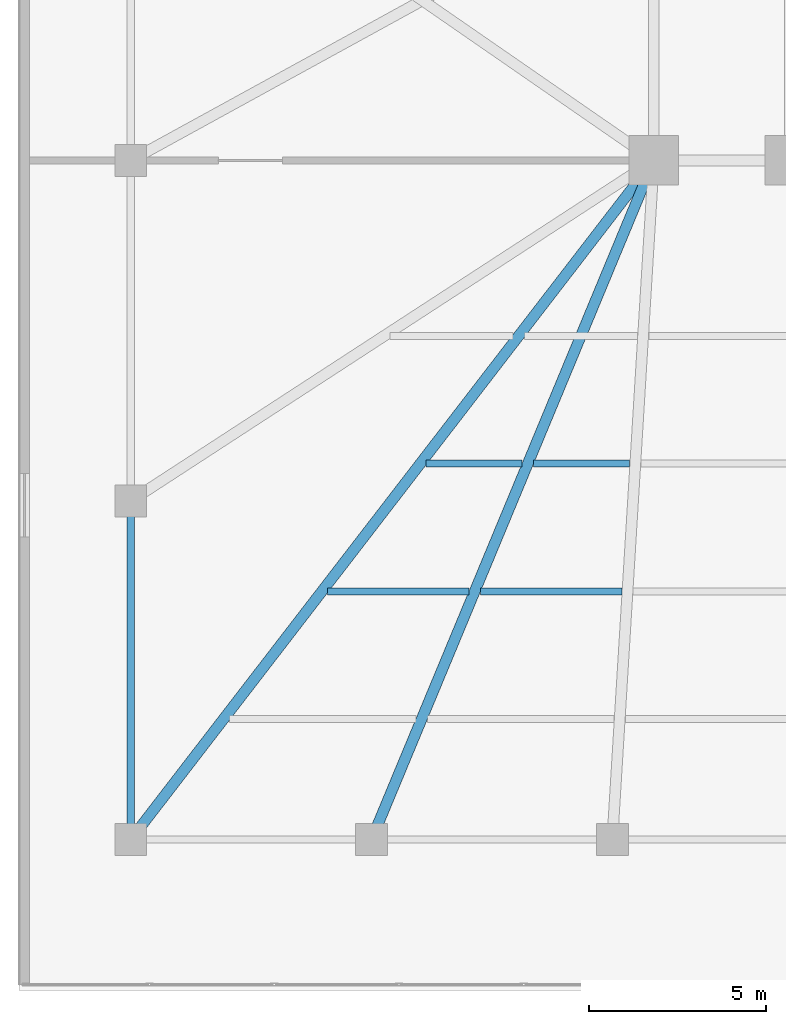
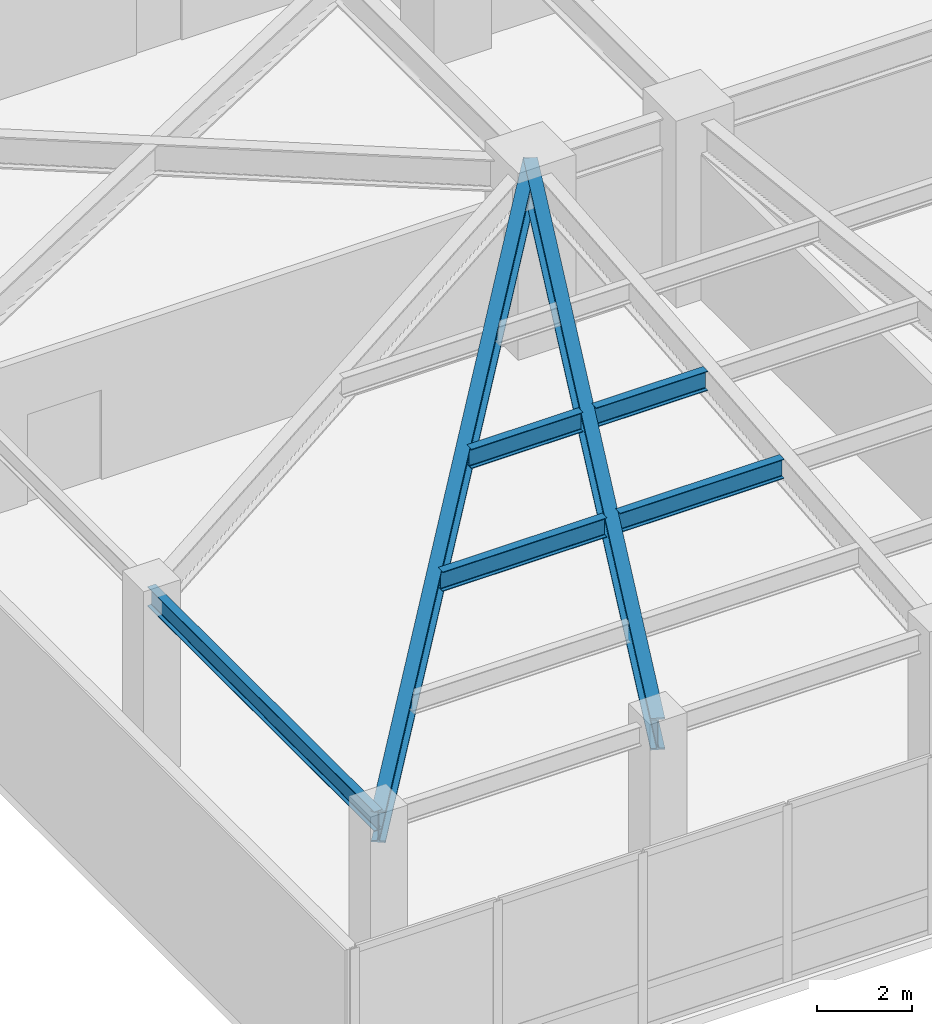
# One storey, part 3 of 19: 7 beams.
"""IFC4 building model written with IfcOpenShell, lengths in metres."""

from ifc_helpers import new_model, si_unit, direction, frame, origin, origin_2d, place, context, subcontext, project, spatial, i_section, extrude, material, material_profile, profile_set, type_object, element, save


model = new_model("IFC4")

# Units and contexts
model_context = context("Model", 3, precision=1e-05, world=origin(), true_north=direction((0.0, 1.0)))
body_context = subcontext(model_context, "Body", "Model", "MODEL_VIEW")
ifc_project = project(units=[si_unit("LENGTHUNIT", "METRE"), si_unit("AREAUNIT", "SQUARE_METRE"), si_unit("VOLUMEUNIT", "CUBIC_METRE"), si_unit("PLANEANGLEUNIT", "RADIAN"), si_unit("MASSUNIT", "GRAM", prefix="KILO")], contexts=[model_context])

# Site, building, storey
site_placement = place(None, origin())
site = spatial("IfcSite", under=ifc_project, at=site_placement, CompositionType="ELEMENT")
building_placement = place(site_placement, origin())
building = spatial("IfcBuilding", under=site, at=building_placement, Name="Yelkora Congress Tower", CompositionType="ELEMENT")
storey_placement = place(building_placement, frame((0.0, 0.0, 15.60009765625)))
storey = spatial("IfcBuildingStorey", under=building, at=storey_placement, Name="L03", CompositionType="ELEMENT", Elevation=15.60009765625)

# Beams
ifc_material_1 = material(Name="Steel S460M", Category="steel")
ifc_material_profile_1 = material_profile(ifc_material_1, i_section(OverallWidth=0.302978515625, OverallDepth=0.81396484375, WebThickness=0.02099609375, FlangeThickness=0.0400390625, FilletRadius=0.030029296875, at=origin_2d()), Name="HEM 800")
ifc_profile_set_1 = profile_set([ifc_material_profile_1], Name="Steel S460M")
beam_type_1 = type_object("IfcBeamType", Name="BM-HALL-HEM800", PredefinedType="BEAM", material=ifc_profile_set_1)
beam_1_placement = place(storey_placement, frame((4.449951171875, 6.050048828125, 4.1328125), z_axis=(0.610212418574, 0.792237845737, 0.0), x_axis=(-0.792237845737, 0.610212418574, 0.0)))
element("IfcBeam", 1, at=beam_1_placement, inside=storey, type_object=beam_type_1, Name="L03 Primary Frame Girder PS01", PredefinedType="BEAM", context=body_context, shape_type="SweptSolid", body=[
    extrude(i_section(OverallWidth=0.302978515625, OverallDepth=0.81396484375, WebThickness=0.02099609375, FlangeThickness=0.0400390625, FilletRadius=0.030029296875, at=origin_2d()), origin(), (0.0, 0.0, 1.0), 24.171875),
])
beam_2_placement = place(storey_placement, frame((11.239990234375, 6.050048828125, 4.1328125), z_axis=(0.383827816401, 0.923404682334, 0.0), x_axis=(-0.923404682334, 0.383827816401, 0.0)))
element("IfcBeam", 2, at=beam_2_placement, inside=storey, type_object=beam_type_1, Name="L03 Primary Frame Girder PS02", PredefinedType="BEAM", context=body_context, shape_type="SweptSolid", body=[
    extrude(i_section(OverallWidth=0.302978515625, OverallDepth=0.81396484375, WebThickness=0.02099609375, FlangeThickness=0.0400390625, FilletRadius=0.030029296875, at=origin_2d()), origin(), (0.0, 0.0, 1.0), 20.73828125),
])
ifc_material_2 = material(Name="Steel S355J2", Category="steel")
ifc_material_profile_2 = material_profile(ifc_material_2, i_section(OverallWidth=0.199951171875, OverallDepth=0.5, WebThickness=0.01025390625, FlangeThickness=0.01611328125, FilletRadius=0.02099609375, at=origin_2d()), Name="IPE 500")
ifc_profile_set_2 = profile_set([ifc_material_profile_2], Name="Steel S355J2")
beam_type_2 = type_object("IfcBeamType", Name="BM-JOIST-IPE500", PredefinedType="JOIST", material=ifc_profile_set_2)
beam_3_placement = place(storey_placement, frame((10.001708984375, 13.050048828125, 4.289794921875), z_axis=(1.0, 0.0, 0.0), x_axis=(0.0, 1.0, 0.0)))
element("IfcBeam", 3, at=beam_3_placement, inside=storey, type_object=beam_type_2, Name="L03 Composite Floor Joist 11", PredefinedType="JOIST", context=body_context, shape_type="SweptSolid", body=[
    extrude(i_section(OverallWidth=0.199951171875, OverallDepth=0.5, WebThickness=0.01025390625, FlangeThickness=0.01611328125, FilletRadius=0.02099609375, at=origin_2d()), origin(), (0.0, 0.0, 1.0), 3.988037109375),
])
beam_4_placement = place(storey_placement, frame((14.309814453125, 13.050048828125, 4.289794921875), z_axis=(1.0, 0.0, 0.0), x_axis=(0.0, 1.0, 0.0)))
element("IfcBeam", 4, at=beam_4_placement, inside=storey, type_object=beam_type_2, Name="L03 Composite Floor Joist 12", PredefinedType="JOIST", context=body_context, shape_type="SweptSolid", body=[
    extrude(i_section(OverallWidth=0.199951171875, OverallDepth=0.5, WebThickness=0.01025390625, FlangeThickness=0.01611328125, FilletRadius=0.02099609375, at=origin_2d()), origin(), (0.0, 0.0, 1.0), 3.98779296875),
])
beam_5_placement = place(storey_placement, frame((12.7744140625, 16.64990234375, 4.289794921875), z_axis=(1.0, 0.0, 0.0), x_axis=(0.0, 1.0, 0.0)))
element("IfcBeam", 5, at=beam_5_placement, inside=storey, type_object=beam_type_2, Name="L03 Composite Floor Joist 21", PredefinedType="JOIST", context=body_context, shape_type="SweptSolid", body=[
    extrude(i_section(OverallWidth=0.199951171875, OverallDepth=0.5, WebThickness=0.01025390625, FlangeThickness=0.01611328125, FilletRadius=0.02099609375, at=origin_2d()), origin(), (0.0, 0.0, 1.0), 2.711669921875),
])
beam_6_placement = place(storey_placement, frame((15.80615234375, 16.64990234375, 4.289794921875), z_axis=(1.0, 0.0, 0.0), x_axis=(0.0, 1.0, 0.0)))
element("IfcBeam", 6, at=beam_6_placement, inside=storey, type_object=beam_type_2, Name="L03 Composite Floor Joist 22", PredefinedType="JOIST", context=body_context, shape_type="SweptSolid", body=[
    extrude(i_section(OverallWidth=0.199951171875, OverallDepth=0.5, WebThickness=0.01025390625, FlangeThickness=0.01611328125, FilletRadius=0.02099609375, at=origin_2d()), origin(), (0.0, 0.0, 1.0), 2.71142578125),
])
ifc_material_profile_3 = material_profile(ifc_material_2, i_section(OverallWidth=0.199951171875, OverallDepth=0.5, WebThickness=0.01025390625, FlangeThickness=0.01611328125, FilletRadius=0.02099609375, at=origin_2d()), Name="IPE 500")
ifc_profile_set_3 = profile_set([ifc_material_profile_3], Name="Steel S355J2")
beam_type_3 = type_object("IfcBeamType", Name="BM-SPAN-IPE500B", PredefinedType="BEAM", material=ifc_profile_set_3)
beam_7_placement = place(storey_placement, frame((4.449951171875, 15.60009765625, 4.289794921875), z_axis=(0.0, -1.0, 0.0), x_axis=(1.0, 0.0, 0.0)))
element("IfcBeam", 7, at=beam_7_placement, inside=storey, type_object=beam_type_3, Name="L03 Perimeter Beam 1", PredefinedType="BEAM", context=body_context, shape_type="SweptSolid", body=[
    extrude(i_section(OverallWidth=0.199951171875, OverallDepth=0.5, WebThickness=0.01025390625, FlangeThickness=0.01611328125, FilletRadius=0.02099609375, at=origin_2d()), origin(), (0.0, 0.0, 1.0), 9.550048828125),
])

save(model, "model.ifc")
